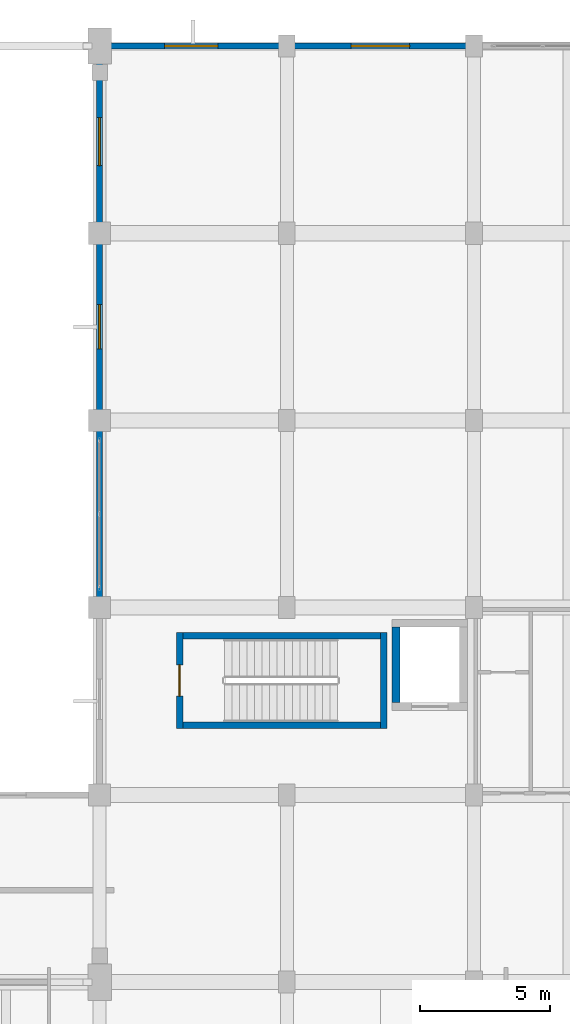
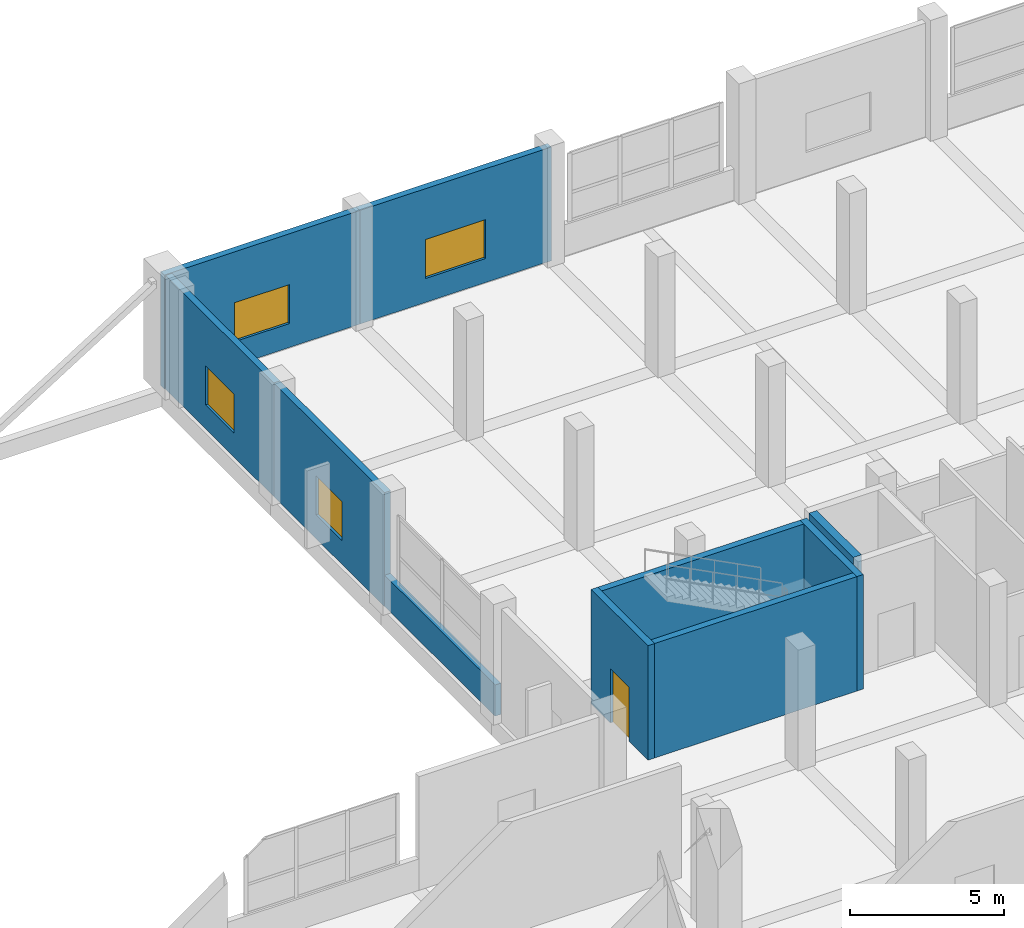
# One storey, part 164 of 181: 10 walls, 4 windows, 1 door, 5 openings.
"""IFC4 building model written with IfcOpenShell, lengths in metres."""

from ifc_helpers import new_model, si_unit, direction, frame, frame_2d, origin, place, context, subcontext, project, spatial, rectangle, extrude, material, layer, layer_set, type_object, element, fill, save


model = new_model("IFC4")

# Units and contexts
model_context = context("Model", 3, precision=1e-05, world=origin(), true_north=direction((0.0, 1.0)))
body_context = subcontext(model_context, "Body", "Model", "MODEL_VIEW")
ifc_project = project(units=[si_unit("LENGTHUNIT", "METRE"), si_unit("AREAUNIT", "SQUARE_METRE"), si_unit("VOLUMEUNIT", "CUBIC_METRE"), si_unit("PLANEANGLEUNIT", "RADIAN"), si_unit("MASSUNIT", "GRAM", prefix="KILO")], contexts=[model_context])

# Site, building, storey
site_placement = place(None, origin())
site = spatial("IfcSite", under=ifc_project, at=site_placement, CompositionType="ELEMENT")
building_placement = place(site_placement, origin())
building = spatial("IfcBuilding", under=site, at=building_placement, Name="Seraya Terrace Polytechnic", CompositionType="ELEMENT")
storey_placement = place(building_placement, frame((0.0, 0.0, 4.800048828125)))
storey = spatial("IfcBuildingStorey", under=building, at=storey_placement, Name="L01", CompositionType="ELEMENT", Elevation=4.800048828125)

# Wall, opening, window
ifc_material_1 = material(Name="Concrete C40/50", Category="concrete")
ifc_layer_1 = layer(ifc_material_1, 0.239990234375, Name="EW-04")
ifc_layer_set_1 = layer_set([ifc_layer_1], Name="Concrete C40/50")
wall_type_1 = type_object("IfcWallType", Name="EW-04", PredefinedType="SOLIDWALL", material=ifc_layer_set_1)
wall_1_placement = place(storey_placement, frame((115.199951171875, 100.800048828125, 0.0), z_axis=(0.0, 0.0, 1.0), x_axis=(0.0, 1.0, 0.0)))
wall_1 = element("IfcWall", 1, at=wall_1_placement, inside=storey, type_object=wall_type_1, Name="Exterior structural wall EW-04 L01", PredefinedType="SOLIDWALL", context=body_context, shape_type="SweptSolid", body=[
    extrude(rectangle(XDim=7.199951171875, YDim=0.239990234375, at=frame_2d((3.60009765625, 0.0))), origin(), (0.0, 0.0, 1.0), 4.52001953125),
])
opening_1_placement = place(wall_1_placement, frame((2.75, 0.0, 0.949951171875)))
opening_1 = element("IfcOpeningElement", 2, at=opening_1_placement, cuts=wall_1, Name="Opening WN-17", PredefinedType="OPENING", context=body_context, shape_type="SweptSolid", body=[
    extrude(rectangle(XDim=1.699951171875, YDim=1.550048828125, at=frame_2d((0.85009765625, 0.77490234375))), frame((0.0, 0.1318359375, 0.0), z_axis=(0.0, -1.0, 0.0), x_axis=(1.0, 0.0, 0.0)), (0.0, 0.0, 1.0), 0.263916015625),
])
ifc_material_2 = material(Name="Laminated solar-control Low-E double glazing", Category="glass")
window_type_1 = type_object("IfcWindowType", Name="WN-17", PartitioningType="SINGLE_PANEL", PredefinedType="WINDOW", material=ifc_material_2)
window_1_placement = place(opening_1_placement, origin())
window_1 = element("IfcWindow", 3, at=window_1_placement, inside=storey, type_object=window_type_1, Name="Exterior window WN-17 L01", OverallHeight=1.550048828125, OverallWidth=1.699951171875, PartitioningType="SINGLE_PANEL", PredefinedType="WINDOW", context=body_context, shape_type="SweptSolid", body=[
    extrude(rectangle(XDim=1.699951171875, YDim=1.550048828125, at=frame_2d((0.85009765625, 0.77490234375))), frame((0.0, 0.030029296875, 0.0), z_axis=(0.0, -1.0, 0.0), x_axis=(1.0, 0.0, 0.0)), (0.0, 0.0, 1.0), 0.06005859375),
])
fill(opening_1, window_1)

wall_2_placement = place(storey_placement, frame((115.199951171875, 108.0, 0.0), z_axis=(0.0, 0.0, 1.0), x_axis=(0.0, 1.0, 0.0)))
wall_2 = element("IfcWall", 4, at=wall_2_placement, inside=storey, type_object=wall_type_1, Name="Exterior structural wall EW-04 L01", PredefinedType="SOLIDWALL", context=body_context, shape_type="SweptSolid", body=[
    extrude(rectangle(XDim=7.048095703125, YDim=0.239990234375, at=frame_2d((3.52392578125, 0.0))), origin(), (0.0, 0.0, 1.0), 4.52001953125),
])
opening_2_placement = place(wall_2_placement, frame((2.59912109375, 0.0, 0.949951171875)))
opening_2 = element("IfcOpeningElement", 5, at=opening_2_placement, cuts=wall_2, Name="Opening WN-18", PredefinedType="OPENING", context=body_context, shape_type="SweptSolid", body=[
    extrude(rectangle(XDim=1.85009765625, YDim=1.550048828125, at=frame_2d((0.925048828125, 0.77490234375))), frame((0.0, 0.1318359375, 0.0), z_axis=(0.0, -1.0, 0.0), x_axis=(1.0, 0.0, 0.0)), (0.0, 0.0, 1.0), 0.263916015625),
])
window_type_2 = type_object("IfcWindowType", Name="WN-18", PartitioningType="SINGLE_PANEL", PredefinedType="WINDOW", material=ifc_material_2)
window_2_placement = place(opening_2_placement, origin())
window_2 = element("IfcWindow", 6, at=window_2_placement, inside=storey, type_object=window_type_2, Name="Exterior window WN-18 L01", OverallHeight=1.550048828125, OverallWidth=1.85009765625, PartitioningType="SINGLE_PANEL", PredefinedType="WINDOW", context=body_context, shape_type="SweptSolid", body=[
    extrude(rectangle(XDim=1.85009765625, YDim=1.550048828125, at=frame_2d((0.925048828125, 0.77490234375))), frame((0.0, 0.030029296875, 0.0), z_axis=(0.0, -1.0, 0.0), x_axis=(1.0, 0.0, 0.0)), (0.0, 0.0, 1.0), 0.06005859375),
])
fill(opening_2, window_2)

wall_3_placement = place(storey_placement, frame((115.050048828125, 115.199951171875, 0.0), z_axis=(0.0, 0.0, 1.0), x_axis=(1.0, 0.0, 0.0)))
wall_3 = element("IfcWall", 7, at=wall_3_placement, inside=storey, type_object=wall_type_1, Name="Exterior structural wall EW-04 L01", PredefinedType="SOLIDWALL", context=body_context, shape_type="SweptSolid", body=[
    extrude(rectangle(XDim=7.349853515625, YDim=0.239990234375, at=frame_2d((3.6748046875, 0.0))), origin(), (0.0, 0.0, 1.0), 4.52001953125),
])
opening_3_placement = place(wall_3_placement, frame((2.64990234375, 0.0, 0.949951171875)))
opening_3 = element("IfcOpeningElement", 8, at=opening_3_placement, cuts=wall_3, Name="Opening WN-19", PredefinedType="OPENING", context=body_context, shape_type="SweptSolid", body=[
    extrude(rectangle(XDim=2.050048828125, YDim=1.550048828125, at=frame_2d((1.02490234375, 0.77490234375))), frame((0.0, 0.1318359375, 0.0), z_axis=(0.0, -1.0, 0.0), x_axis=(1.0, 0.0, 0.0)), (0.0, 0.0, 1.0), 0.263916015625),
])
window_type_3 = type_object("IfcWindowType", Name="WN-19", PartitioningType="SINGLE_PANEL", PredefinedType="WINDOW", material=ifc_material_2)
window_3_placement = place(opening_3_placement, origin())
window_3 = element("IfcWindow", 9, at=window_3_placement, inside=storey, type_object=window_type_3, Name="Exterior window WN-19 L01", OverallHeight=1.550048828125, OverallWidth=2.050048828125, PartitioningType="SINGLE_PANEL", PredefinedType="WINDOW", context=body_context, shape_type="SweptSolid", body=[
    extrude(rectangle(XDim=2.050048828125, YDim=1.550048828125, at=frame_2d((1.02490234375, 0.77490234375))), frame((0.0, 0.030029296875, 0.0), z_axis=(0.0, -1.0, 0.0), x_axis=(1.0, 0.0, 0.0)), (0.0, 0.0, 1.0), 0.06005859375),
])
fill(opening_3, window_3)

wall_4_placement = place(storey_placement, frame((122.39990234375, 115.199951171875, 0.0), z_axis=(0.0, 0.0, 1.0), x_axis=(1.0, 0.0, 0.0)))
wall_4 = element("IfcWall", 10, at=wall_4_placement, inside=storey, type_object=wall_type_1, Name="Exterior structural wall EW-04 L01", PredefinedType="SOLIDWALL", context=body_context, shape_type="SweptSolid", body=[
    extrude(rectangle(XDim=7.2001953125, YDim=0.239990234375, at=frame_2d((3.60009765625, 0.0))), origin(), (0.0, 0.0, 1.0), 4.52001953125),
])
opening_4_placement = place(wall_4_placement, frame((2.47509765625, 0.0, 0.949951171875)))
opening_4 = element("IfcOpeningElement", 11, at=opening_4_placement, cuts=wall_4, Name="Opening WN-20", PredefinedType="OPENING", context=body_context, shape_type="SweptSolid", body=[
    extrude(rectangle(XDim=2.25, YDim=1.550048828125, at=frame_2d((1.125, 0.77490234375))), frame((0.0, 0.1318359375, 0.0), z_axis=(0.0, -1.0, 0.0), x_axis=(1.0, 0.0, 0.0)), (0.0, 0.0, 1.0), 0.263916015625),
])
window_type_4 = type_object("IfcWindowType", Name="WN-20", PartitioningType="SINGLE_PANEL", PredefinedType="WINDOW", material=ifc_material_2)
window_4_placement = place(opening_4_placement, origin())
window_4 = element("IfcWindow", 12, at=window_4_placement, inside=storey, type_object=window_type_4, Name="Exterior window WN-20 L01", OverallHeight=1.550048828125, OverallWidth=2.25, PartitioningType="SINGLE_PANEL", PredefinedType="WINDOW", context=body_context, shape_type="SweptSolid", body=[
    extrude(rectangle(XDim=2.25, YDim=1.550048828125, at=frame_2d((1.125, 0.77490234375))), frame((0.0, 0.030029296875, 0.0), z_axis=(0.0, -1.0, 0.0), x_axis=(1.0, 0.0, 0.0)), (0.0, 0.0, 1.0), 0.06005859375),
])
fill(opening_4, window_4)

# Walls
ifc_material_3 = material(Name="Precast concrete C40/50", Category="concrete")
ifc_layer_2 = layer(ifc_material_3, 0.219970703125, Name="EW-05")
ifc_layer_set_2 = layer_set([ifc_layer_2], Name="Precast concrete C40/50")
wall_type_2 = type_object("IfcWallType", Name="EW-05", PredefinedType="SOLIDWALL", material=ifc_layer_set_2)
wall_5_placement = place(storey_placement, frame((115.199951171875, 93.60009765625, 0.0), z_axis=(0.0, 0.0, 1.0), x_axis=(0.0, 1.0, 0.0)))
element("IfcWall", 13, at=wall_5_placement, inside=storey, type_object=wall_type_2, Name="Precast spandrel wall L01", PredefinedType="SOLIDWALL", context=body_context, shape_type="SweptSolid", body=[
    extrude(rectangle(XDim=7.199951171875, YDim=0.219970703125, at=frame_2d((3.60009765625, 0.0))), origin(), (0.0, 0.0, 1.0), 1.239990234375),
])
ifc_layer_3 = layer(ifc_material_1, 0.300048828125, Name="SW-01")
ifc_layer_set_3 = layer_set([ifc_layer_3], Name="Concrete C40/50")
wall_type_3 = type_object("IfcWallType", Name="SW-01", PredefinedType="SHEAR", material=ifc_layer_set_3)
wall_6_placement = place(storey_placement, frame((126.60009765625, 89.949951171875, 0.0), z_axis=(0.0, 0.0, 1.0), x_axis=(0.0, 1.0, 0.0)))
element("IfcWall", 14, at=wall_6_placement, inside=storey, type_object=wall_type_3, Name="Lift shaft GL-01 West wall L01", PredefinedType="SHEAR", context=body_context, shape_type="SweptSolid", body=[
    extrude(rectangle(XDim=2.900146484375, YDim=0.300048828125, at=frame_2d((1.4501953125, 0.0))), origin(), (0.0, 0.0, 1.0), 4.550048828125),
])

# Wall, opening, door
ifc_layer_4 = layer(ifc_material_1, 0.25, Name="SW-02")
ifc_layer_set_4 = layer_set([ifc_layer_4], Name="Concrete C40/50")
wall_type_4 = type_object("IfcWallType", Name="SW-02", PredefinedType="SHEAR", material=ifc_layer_set_4)
wall_7_placement = place(storey_placement, frame((118.27490234375, 88.949951171875, 0.0), z_axis=(0.0, 0.0, 1.0), x_axis=(0.0, 1.0, 0.0)))
wall_7 = element("IfcWall", 15, at=wall_7_placement, inside=storey, type_object=wall_type_4, Name="Stairwell ST-08 West wall L01", PredefinedType="SHEAR", context=body_context, shape_type="SweptSolid", body=[
    extrude(rectangle(XDim=3.699951171875, YDim=0.25, at=frame_2d((1.85009765625, 0.0))), origin(), (0.0, 0.0, 1.0), 4.550048828125),
])
opening_5_placement = place(wall_7_placement, frame((1.25, 0.0, 0.0)))
opening_5 = element("IfcOpeningElement", 16, at=opening_5_placement, cuts=wall_7, Name="Opening FD-01", PredefinedType="OPENING", context=body_context, shape_type="SweptSolid", body=[
    extrude(rectangle(XDim=1.199951171875, YDim=2.14990234375, at=frame_2d((0.60009765625, 1.074951171875))), frame((0.0, 0.136962890625, 0.0), z_axis=(0.0, -1.0, 0.0), x_axis=(1.0, 0.0, 0.0)), (0.0, 0.0, 1.0), 0.27392578125),
])
ifc_material_4 = material(Name="Steel S355J2", Category="steel")
door_type = type_object("IfcDoorType", Name="FD-01", OperationType="NOTDEFINED", PredefinedType="DOOR", material=ifc_material_4)
door_placement = place(opening_5_placement, frame((1.199951171875, 0.0, 0.0), z_axis=(0.0, 0.0, 1.0), x_axis=(-1.0, 0.0, 0.0)))
door = element("IfcDoor", 17, at=door_placement, inside=storey, type_object=door_type, Name="Door FD-01 DR-STR-ST-08-L01 in WL-STR-ST-08-L01-W", OperationType="SINGLE_SWING_LEFT", OverallHeight=2.14990234375, OverallWidth=1.199951171875, PredefinedType="DOOR", context=body_context, shape_type="SweptSolid", body=[
    extrude(rectangle(XDim=1.199951171875, YDim=2.14990234375, at=frame_2d((0.60009765625, 1.074951171875))), frame((0.0, 0.02490234375, 0.0), z_axis=(0.0, -1.0, 0.0), x_axis=(1.0, 0.0, 0.0)), (0.0, 0.0, 1.0), 0.050048828125),
])
fill(opening_5, door)

# Walls
wall_8_placement = place(storey_placement, frame((126.125, 88.949951171875, 0.0), z_axis=(0.0, 0.0, 1.0), x_axis=(0.0, 1.0, 0.0)))
element("IfcWall", 18, at=wall_8_placement, inside=storey, type_object=wall_type_4, Name="Stairwell ST-08 East wall L01", PredefinedType="SHEAR", context=body_context, shape_type="SweptSolid", body=[
    extrude(rectangle(XDim=3.699951171875, YDim=0.25, at=frame_2d((1.85009765625, 0.0))), origin(), (0.0, 0.0, 1.0), 4.550048828125),
])
for number, where, z_axis, x_axis, name in (
    (19, (118.39990234375, 89.074951171875, 0.0), (0.0, 0.0, 1.0), (1.0, 0.0, 0.0), "Stairwell ST-08 South wall L01"),
    (20, (118.39990234375, 92.52490234375, 0.0), (0.0, 0.0, 1.0), (1.0, 0.0, 0.0), "Stairwell ST-08 North wall L01"),
):
    element("IfcWall", number, at=place(storey_placement, frame(where, z_axis=z_axis, x_axis=x_axis)), inside=storey, type_object=wall_type_4, Name=name, PredefinedType="SHEAR", context=body_context, shape_type="SweptSolid", body=[
        extrude(rectangle(XDim=7.60009765625, YDim=0.25, at=frame_2d((3.800048828125, 0.0))), origin(), (0.0, 0.0, 1.0), 4.550048828125),
    ])

save(model, "model.ifc")
